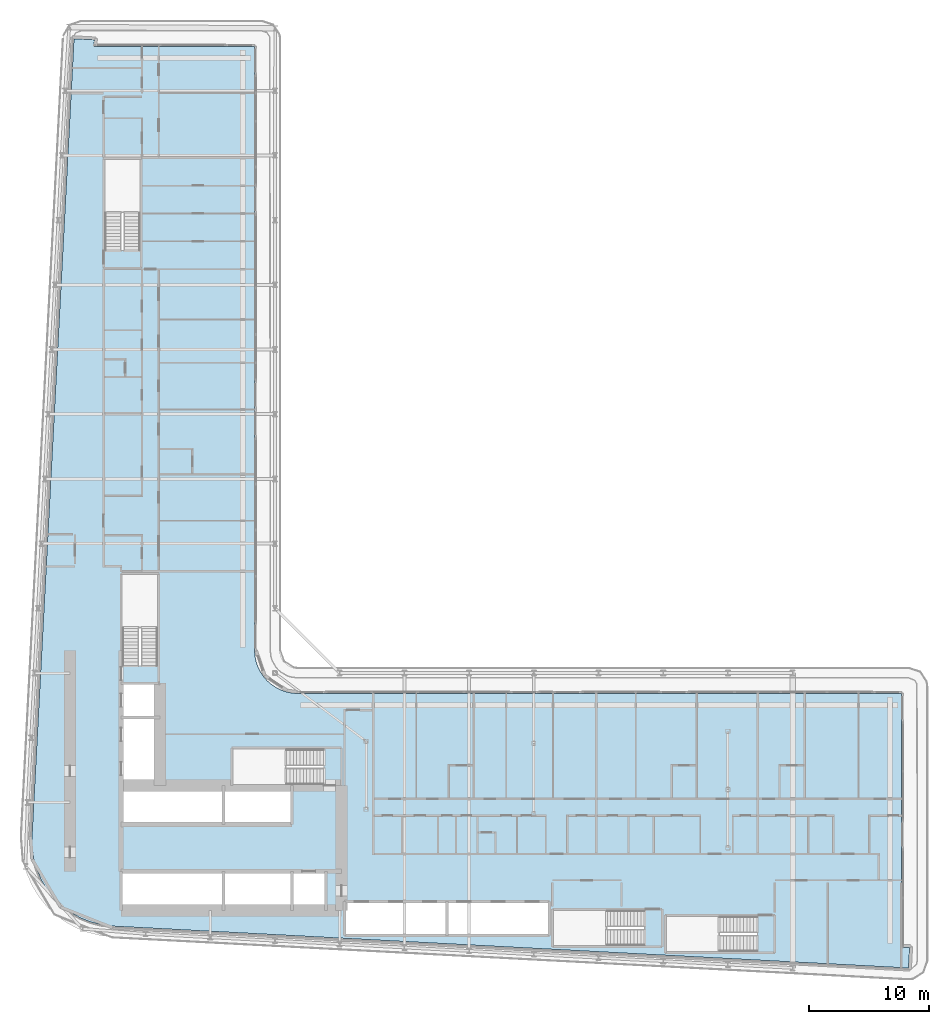
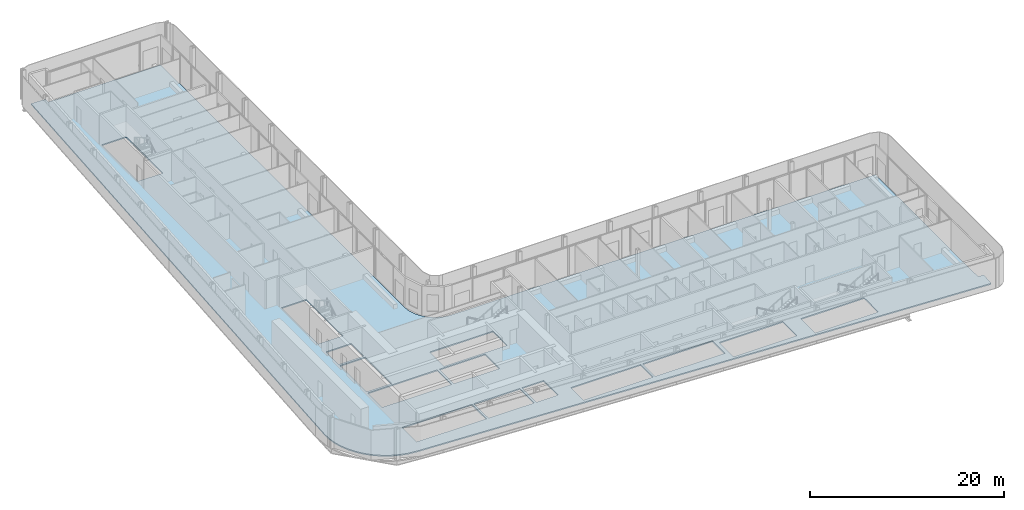
# One storey, part 11 of 29: 1 slab.
"""IFC4 building model written with IfcOpenShell, lengths in metres."""

import ifcopenshell
import ifcopenshell.guid

model = None  # the IFC model being written
_history = None  # IfcOwnerHistory: only IFC2X3 demands one
_inside = {}  # id of a spatial element -> (the spatial element, [elements in it])
_under = {}  # id of a project, library or spatial element -> (it, [spatial elements below it])
_declared = {}  # id of a project -> (the project, [libraries it declares])
_typed = {}  # id of a type object -> (the type object, [elements of that type])
_made_of = {}  # id of a material, layer set ... -> (it, [elements and type objects made of it])


def new_model(schema):
    """Start an empty IFC model of exactly this schema.

    Asked for "IFC4X3", IfcOpenShell would pick the latest addendum, in which some entities
    have other attributes; the version numbers below select the first issue.
    IFC2X3 requires an IfcOwnerHistory on every rooted entity: one is made here for all.
    """
    global model, _history
    if schema == "IFC4X3":
        model = ifcopenshell.file(schema_version=(4, 3, 0, 0))
    else:
        model = ifcopenshell.file(schema=schema)
    _inside.clear()
    _under.clear()
    _declared.clear()
    _typed.clear()
    _made_of.clear()
    _history = None
    if model.schema == "IFC2X3":
        org = make("IfcOrganization", Name="unknown")
        user = make(
            "IfcPersonAndOrganization",
            ThePerson=make("IfcPerson", FamilyName="unknown"),
            TheOrganization=org,
        )
        app = make(
            "IfcApplication",
            ApplicationDeveloper=org,
            Version="unknown",
            ApplicationFullName="unknown",
            ApplicationIdentifier="unknown",
        )
        _history = make(
            "IfcOwnerHistory",
            OwningUser=user,
            OwningApplication=app,
            ChangeAction="ADDED",
            CreationDate=0,
        )
    return model


def make(cls, **values):
    """One entity of the class cls with the attributes given. An attribute that is None is left unset."""
    return model.create_entity(
        cls, **{name: value for name, value in values.items() if value is not None}
    )


def rooted(cls, **values):
    """An entity with a GlobalId (a new one), such as an element, a storey or a relation."""
    return make(cls, GlobalId=ifcopenshell.guid.new(), OwnerHistory=_history, **values)


def si_unit(unit_type, name, prefix=None):
    """IfcSIUnit, for example si_unit("LENGTHUNIT", "METRE", prefix="MILLI")."""
    return make("IfcSIUnit", UnitType=unit_type, Prefix=prefix, Name=name)


def assignment(units):
    """IfcUnitAssignment: the units of a project."""
    return None if units is None else make("IfcUnitAssignment", Units=units)


def point(xyz):
    """IfcCartesianPoint."""
    return None if xyz is None else make("IfcCartesianPoint", Coordinates=xyz)


def direction(xyz):
    """IfcDirection."""
    return None if xyz is None else make("IfcDirection", DirectionRatios=xyz)


def frame(location, z_axis=None, x_axis=None):
    """IfcAxis2Placement3D, a coordinate frame: its origin and axes. An axis left out is left unset."""
    return make(
        "IfcAxis2Placement3D",
        Location=point(location),
        Axis=direction(z_axis),
        RefDirection=direction(x_axis),
    )


def origin():
    """The frame at (0, 0, 0) with its axes left unset."""
    return frame((0.0, 0.0, 0.0))


def place(relative_to, where):
    """IfcLocalPlacement: puts the frame where relative to a parent placement (None: the world)."""
    return make(
        "IfcLocalPlacement", PlacementRelTo=relative_to, RelativePlacement=where
    )


def context(
    kind, dimensions, precision=None, world=None, true_north=None, identifier=None
):
    """IfcGeometricRepresentationContext, for example the 3D "Model" context."""
    return make(
        "IfcGeometricRepresentationContext",
        ContextIdentifier=identifier,
        ContextType=kind,
        CoordinateSpaceDimension=dimensions,
        Precision=precision,
        WorldCoordinateSystem=world,
        TrueNorth=true_north,
    )


def subcontext(parent, identifier, kind, view, scale=None):
    """IfcGeometricRepresentationSubContext, for example "Body" below "Model"."""
    return make(
        "IfcGeometricRepresentationSubContext",
        ContextIdentifier=identifier,
        ContextType=kind,
        ParentContext=parent,
        TargetScale=scale,
        TargetView=view,
    )


def project(units=None, contexts=None):
    """IfcProject with its units and contexts."""
    return rooted(
        "IfcProject",
        Name="project",
        RepresentationContexts=contexts,
        UnitsInContext=assignment(units),
    )


def spatial(cls, under=None, at=None, **own):
    """A site, building, storey or space (cls), placed at a placement, below another one or the project."""
    s = rooted(cls, ObjectPlacement=at, **own)
    if under is not None:
        _under.setdefault(under.id(), (under, []))[1].append(s)
    return s


def polyline(points):
    """IfcPolyline through the points."""
    return make("IfcPolyline", Points=[point(p) for p in points])


def outline(outer, holes=None, kind="AREA"):
    """IfcArbitraryClosedProfileDef: a profile drawn as a closed curve; with holes, ...WithVoids."""
    if holes is None:
        return make("IfcArbitraryClosedProfileDef", ProfileType=kind, OuterCurve=outer)
    return make(
        "IfcArbitraryProfileDefWithVoids",
        ProfileType=kind,
        OuterCurve=outer,
        InnerCurves=holes,
    )


def extrude(swept, where, along, depth):
    """IfcExtrudedAreaSolid: the profile swept, set in the frame where, extruded along a direction by depth."""
    return make(
        "IfcExtrudedAreaSolid",
        SweptArea=swept,
        Position=where,
        ExtrudedDirection=direction(along),
        Depth=depth,
    )


def shape(context_of_items, identifier, shape_type, items):
    """IfcShapeRepresentation: the items that make up one representation, for example the "Body"."""
    return make(
        "IfcShapeRepresentation",
        ContextOfItems=context_of_items,
        RepresentationIdentifier=identifier,
        RepresentationType=shape_type,
        Items=items,
    )


def material(Name=None, Category=None):
    """IfcMaterial."""
    return make("IfcMaterial", Name=Name, Category=Category)


def layer(
    of_material, thickness, ventilated=None, Name=None, Category=None, Priority=None
):
    """IfcMaterialLayer: one layer of a wall or slab, of a material (None: an air gap)."""
    return make(
        "IfcMaterialLayer",
        Material=of_material,
        LayerThickness=thickness,
        IsVentilated=ventilated,
        Name=Name,
        Category=Category,
        Priority=Priority,
    )


def layer_set(layers, Name=None):
    """IfcMaterialLayerSet."""
    return make("IfcMaterialLayerSet", MaterialLayers=layers, LayerSetName=Name)


def made_of(thing, what):
    """Note that an element or type object is made of a material, layer set ...; save() writes the relation."""
    if what is not None:
        _made_of.setdefault(what.id(), (what, []))[1].append(thing)
    return thing


def type_object(cls, material=None, **own):
    """A type object (cls), such as IfcWallType, which elements share."""
    return made_of(rooted(cls, **own), material)


def element(
    cls,
    number,
    at=None,
    inside=None,
    cuts=None,
    type_object=None,
    material=None,
    context=None,
    identifier="Body",
    shape_type=None,
    held_by="IfcProductDefinitionShape",
    body=None,
    shapes=None,
    **own,
):
    """One element of the class cls, such as IfcWall. Its Tag is "e" and its number.

    at: its placement. inside: the storey or other place that contains it. cuts: it is an
    opening in that element (IfcRelVoidsElement). A single representation is given by context,
    identifier, shape_type and body (its items); several are given by shapes. held_by: the class
    of the entity that holds the representations. save() writes the other relations.
    """
    e = rooted(cls, Tag="e%d" % number, ObjectPlacement=at, **own)
    if body is not None:
        shapes = [shape(context, identifier, shape_type, body)]
    if shapes is not None:
        e.Representation = make(held_by, Representations=shapes)
    if inside is not None:
        _inside.setdefault(inside.id(), (inside, []))[1].append(e)
    if cuts is not None:
        rooted(
            "IfcRelVoidsElement", RelatingBuildingElement=cuts, RelatedOpeningElement=e
        )
    if type_object is not None:
        _typed.setdefault(type_object.id(), (type_object, []))[1].append(e)
    return made_of(e, material)


def aggregate(whole, parts):
    """IfcRelAggregates: a whole, such as a stair, and the parts it consists of."""
    return rooted("IfcRelAggregates", RelatingObject=whole, RelatedObjects=parts)


def save(model, path):
    """Write the relations noted so far, then the file.

    IfcRelAggregates (storeys below a building ...), IfcRelContainedInSpatialStructure (elements
    in a storey), IfcRelDefinesByType, IfcRelAssociatesMaterial and IfcRelDeclares: one each for
    every whole, place, type object, material and project.
    """
    for whole, parts in _under.values():
        aggregate(whole, parts)
    for where, things in _inside.values():
        rooted(
            "IfcRelContainedInSpatialStructure",
            RelatedElements=things,
            RelatingStructure=where,
        )
    for kind, things in _typed.values():
        rooted("IfcRelDefinesByType", RelatedObjects=things, RelatingType=kind)
    for what, things in _made_of.values():
        rooted("IfcRelAssociatesMaterial", RelatedObjects=things, RelatingMaterial=what)
    for by, libraries in _declared.values():
        rooted("IfcRelDeclares", RelatingContext=by, RelatedDefinitions=libraries)
    model.write(path)


model = new_model("IFC4")

# Units and contexts
model_context = context("Model", 3, precision=1e-05, world=origin(), true_north=direction((0.0, 1.0)))
body_context = subcontext(model_context, "Body", "Model", "MODEL_VIEW")
ifc_project = project(units=[si_unit("LENGTHUNIT", "METRE"), si_unit("AREAUNIT", "SQUARE_METRE"), si_unit("VOLUMEUNIT", "CUBIC_METRE"), si_unit("PLANEANGLEUNIT", "RADIAN"), si_unit("MASSUNIT", "GRAM", prefix="KILO")], contexts=[model_context])

# Site, building, storey
site_placement = place(None, origin())
site = spatial("IfcSite", under=ifc_project, at=site_placement, CompositionType="ELEMENT")
building_placement = place(site_placement, origin())
building = spatial("IfcBuilding", under=site, at=building_placement, Name="Kheshtan School and Residences Tower", CompositionType="ELEMENT")
storey_placement = place(building_placement, frame((0.0, 0.0, 65.60009765625)))
storey = spatial("IfcBuildingStorey", under=building, at=storey_placement, Name="L15", CompositionType="ELEMENT", Elevation=65.60009765625)

# Slab
ifc_material = material(Name="Concrete C40/50", Category="concrete")
ifc_layer = layer(ifc_material, 0.14990234375)
ifc_layer_set = layer_set([ifc_layer], Name="Floor slab 150 Concrete C40/50")
slab_type = type_object("IfcSlabType", Name="Floor slab 150 Concrete C40/50", PredefinedType="FLOOR", material=ifc_layer_set)
slab_placement = place(storey_placement, frame((0.0, 0.0, -0.150146484375)))
element("IfcSlab", 1, at=slab_placement, inside=storey, type_object=slab_type, Name="Floor slab L15", PredefinedType="FLOOR", context=body_context, shape_type="SweptSolid", body=[
    extrude(outline(polyline([(27.718017578125, 29.200927734375), (27.466064453125, 30.093017578125), (27.466064453125, 30.093994140625), (27.3330078125, 31.013916015625), (27.320068359375, 31.965087890625), (27.320068359375, 31.970947265625), (30.822021484375, 98.5009765625), (30.822998046875, 98.508056640625), (30.825927734375, 98.531005859375), (30.825927734375, 98.531982421875), (30.826904296875, 98.531982421875), (31.422119140625, 98.5), (31.423095703125, 98.5), (31.423095703125, 98.4990234375), (31.423095703125, 98.4951171875), (31.423095703125, 98.493896484375), (31.424072265625, 98.493896484375), (31.424072265625, 98.492919921875), (31.425048828125, 98.492919921875), (31.426025390625, 98.492919921875), (31.426025390625, 98.493896484375), (31.427978515625, 98.49609375), (31.428955078125, 98.4970703125), (31.429931640625, 98.498046875), (31.430908203125, 98.498046875), (31.430908203125, 98.4990234375), (31.431884765625, 98.4990234375), (31.431884765625, 98.5), (31.43505859375, 98.5009765625), (31.43603515625, 98.501953125), (31.43896484375, 98.501953125), (31.43994140625, 98.501953125), (31.43994140625, 98.5029296875), (31.44091796875, 98.5029296875), (31.446044921875, 98.5029296875), (32.5009765625, 98.447021484375), (32.50390625, 98.447021484375), (32.5048828125, 98.447021484375), (32.5048828125, 98.446044921875), (32.506103515625, 98.446044921875), (32.510009765625, 98.446044921875), (32.510009765625, 98.445068359375), (32.510986328125, 98.445068359375), (32.510986328125, 98.444091796875), (32.511962890625, 98.444091796875), (32.511962890625, 98.443115234375), (32.512939453125, 98.443115234375), (32.513916015625, 98.443115234375), (32.513916015625, 98.44189453125), (32.514892578125, 98.44189453125), (32.51611328125, 98.44189453125), (32.51904296875, 98.43896484375), (32.51904296875, 98.43798828125), (32.51904296875, 98.43701171875), (32.52001953125, 98.43701171875), (32.52001953125, 98.43603515625), (32.52099609375, 98.43603515625), (32.52099609375, 98.43408203125), (32.52099609375, 98.43310546875), (32.52197265625, 98.43310546875), (32.52197265625, 98.431884765625), (32.52294921875, 98.431884765625), (32.52294921875, 98.430908203125), (32.52294921875, 98.428955078125), (32.52294921875, 98.427978515625), (32.52392578125, 98.427978515625), (32.52392578125, 98.427001953125), (32.52392578125, 98.422119140625), (32.4970703125, 97.9208984375), (32.4970703125, 97.91796875), (32.4970703125, 97.9169921875), (32.49609375, 97.9169921875), (32.49609375, 97.916015625), (32.49609375, 97.912109375), (32.4951171875, 97.910888671875), (32.4951171875, 97.909912109375), (32.493896484375, 97.909912109375), (32.493896484375, 97.908935546875), (32.492919921875, 97.908935546875), (32.492919921875, 97.907958984375), (32.489013671875, 97.904052734375), (32.488037109375, 97.904052734375), (32.488037109375, 97.903076171875), (32.488037109375, 97.902099609375), (32.488037109375, 97.90087890625), (32.489013671875, 97.90087890625), (32.489013671875, 97.89990234375), (32.489990234375, 97.89990234375), (45.85498046875, 97.89990234375), (45.864990234375, 97.89794921875), (45.865966796875, 97.89794921875), (45.868896484375, 97.89599609375), (45.8740234375, 97.89404296875), (45.8779296875, 97.89208984375), (45.881103515625, 97.889892578125), (45.881103515625, 97.888916015625), (45.882080078125, 97.888916015625), (45.882080078125, 97.887939453125), (45.883056640625, 97.887939453125), (45.884033203125, 97.885009765625), (45.885009765625, 97.885009765625), (45.885009765625, 97.884033203125), (45.887939453125, 97.883056640625), (45.887939453125, 97.882080078125), (45.888916015625, 97.882080078125), (45.888916015625, 97.881103515625), (45.889892578125, 97.881103515625), (45.89208984375, 97.8779296875), (45.89404296875, 97.8740234375), (45.89599609375, 97.868896484375), (45.89794921875, 97.865966796875), (45.89794921875, 97.864990234375), (45.89990234375, 97.85498046875), (45.89990234375, 47.429931640625), (45.927001953125, 47.030029296875), (46.01806640625, 46.570068359375), (46.01806640625, 46.569091796875), (46.169921875, 46.1201171875), (46.37890625, 45.697021484375), (46.638916015625, 45.30810546875), (46.949951171875, 44.950927734375), (46.950927734375, 44.949951171875), (47.30810546875, 44.638916015625), (47.697021484375, 44.37890625), (48.1201171875, 44.169921875), (48.569091796875, 44.01806640625), (48.570068359375, 44.01806640625), (49.030029296875, 43.927001953125), (49.429931640625, 43.89990234375), (99.85498046875, 43.89990234375), (99.864990234375, 43.89794921875), (99.865966796875, 43.89794921875), (99.868896484375, 43.89599609375), (99.8740234375, 43.89404296875), (99.8779296875, 43.89208984375), (99.881103515625, 43.889892578125), (99.881103515625, 43.888916015625), (99.882080078125, 43.888916015625), (99.882080078125, 43.887939453125), (99.883056640625, 43.887939453125), (99.884033203125, 43.885009765625), (99.885009765625, 43.885009765625), (99.885009765625, 43.884033203125), (99.887939453125, 43.883056640625), (99.887939453125, 43.882080078125), (99.888916015625, 43.882080078125), (99.888916015625, 43.881103515625), (99.889892578125, 43.881103515625), (99.89208984375, 43.8779296875), (99.89404296875, 43.8740234375), (99.89599609375, 43.868896484375), (99.89794921875, 43.865966796875), (99.89794921875, 43.864990234375), (99.89990234375, 43.85498046875), (99.89990234375, 22.708984375), (99.89990234375, 22.7080078125), (99.90087890625, 22.7080078125), (99.90087890625, 22.70703125), (99.902099609375, 22.70703125), (99.903076171875, 22.70703125), (99.903076171875, 22.7080078125), (99.905029296875, 22.7099609375), (99.906982421875, 22.7119140625), (99.907958984375, 22.7119140625), (99.907958984375, 22.712890625), (99.908935546875, 22.712890625), (99.908935546875, 22.714111328125), (99.909912109375, 22.714111328125), (99.912109375, 22.715087890625), (99.9130859375, 22.716064453125), (99.916015625, 22.716064453125), (99.9169921875, 22.716064453125), (99.9169921875, 22.717041015625), (99.91796875, 22.717041015625), (99.923095703125, 22.717041015625), (100.5380859375, 22.68408203125), (100.541015625, 22.68408203125), (100.5419921875, 22.68408203125), (100.5419921875, 22.68310546875), (100.54296875, 22.68310546875), (100.547119140625, 22.68310546875), (100.547119140625, 22.681884765625), (100.548095703125, 22.681884765625), (100.548095703125, 22.680908203125), (100.549072265625, 22.680908203125), (100.549072265625, 22.679931640625), (100.550048828125, 22.679931640625), (100.551025390625, 22.679931640625), (100.551025390625, 22.678955078125), (100.552001953125, 22.678955078125), (100.552978515625, 22.678955078125), (100.552978515625, 22.677978515625), (100.554931640625, 22.676025390625), (100.555908203125, 22.676025390625), (100.555908203125, 22.675048828125), (100.555908203125, 22.674072265625), (100.556884765625, 22.674072265625), (100.556884765625, 22.673095703125), (100.55810546875, 22.673095703125), (100.55810546875, 22.6708984375), (100.55810546875, 22.669921875), (100.55908203125, 22.669921875), (100.55908203125, 22.6689453125), (100.56005859375, 22.6689453125), (100.56005859375, 22.66796875), (100.56005859375, 22.666015625), (100.56005859375, 22.6650390625), (100.56103515625, 22.6650390625), (100.56103515625, 22.6640625), (100.56103515625, 22.658935546875), (100.5048828125, 21.60205078125), (100.5048828125, 21.59912109375), (100.5048828125, 21.597900390625), (100.50390625, 21.597900390625), (100.50390625, 21.596923828125), (100.50390625, 21.593017578125), (100.5029296875, 21.592041015625), (100.5029296875, 21.591064453125), (100.501953125, 21.591064453125), (100.501953125, 21.590087890625), (100.5009765625, 21.590087890625), (100.5009765625, 21.589111328125), (100.5, 21.587890625), (100.498046875, 21.5859375), (100.4970703125, 21.5849609375), (100.49609375, 21.5849609375), (100.49609375, 21.583984375), (100.49609375, 21.5830078125), (100.49609375, 21.58203125), (100.4970703125, 21.58203125), (100.4970703125, 21.5810546875), (100.498046875, 21.5810546875), (100.4990234375, 21.5810546875), (100.5, 21.5810546875), (100.5, 21.580078125), (100.468017578125, 20.985107421875), (100.468017578125, 20.98388671875), (100.467041015625, 20.98388671875), (100.443115234375, 20.98291015625), (100.43798828125, 20.98291015625), (34.056884765625, 24.47802734375), (33.114990234375, 24.590087890625), (32.215087890625, 24.819091796875), (32.214111328125, 24.819091796875), (31.35205078125, 25.1630859375), (30.541015625, 25.616943359375), (29.799072265625, 26.1708984375), (29.799072265625, 26.172119140625), (29.798095703125, 26.172119140625), (29.134033203125, 26.820068359375), (29.134033203125, 26.821044921875), (29.133056640625, 26.821044921875), (28.55908203125, 27.550048828125), (28.0849609375, 28.345947265625), (27.718017578125, 29.200927734375)]), holes=[polyline([(99.89990234375, 21.5869140625), (99.89990234375, 21.5830078125), (99.89990234375, 21.58203125), (99.90087890625, 21.58203125), (99.90087890625, 21.5810546875), (99.902099609375, 21.5810546875), (99.906005859375, 21.5810546875), (99.906982421875, 21.5810546875), (99.906982421875, 21.58203125), (99.907958984375, 21.58203125), (99.907958984375, 21.5830078125), (99.907958984375, 21.583984375), (99.906982421875, 21.583984375), (99.905029296875, 21.5859375), (99.904052734375, 21.5869140625), (99.903076171875, 21.587890625), (99.903076171875, 21.589111328125), (99.902099609375, 21.589111328125), (99.90087890625, 21.589111328125), (99.90087890625, 21.587890625), (99.89990234375, 21.587890625), (99.89990234375, 21.5869140625)]), polyline([(31.423095703125, 97.906005859375), (31.423095703125, 97.902099609375), (31.423095703125, 97.90087890625), (31.424072265625, 97.90087890625), (31.424072265625, 97.89990234375), (31.425048828125, 97.89990234375), (31.428955078125, 97.89990234375), (31.429931640625, 97.89990234375), (31.429931640625, 97.90087890625), (31.430908203125, 97.90087890625), (31.430908203125, 97.902099609375), (31.430908203125, 97.903076171875), (31.429931640625, 97.903076171875), (31.428955078125, 97.904052734375), (31.427978515625, 97.905029296875), (31.427001953125, 97.906005859375), (31.426025390625, 97.906982421875), (31.426025390625, 97.907958984375), (31.425048828125, 97.907958984375), (31.424072265625, 97.907958984375), (31.424072265625, 97.906982421875), (31.423095703125, 97.906982421875), (31.423095703125, 97.906005859375)]), polyline([(34.875, 28.925048828125), (34.875, 25.925048828125), (43.175048828125, 25.925048828125), (43.175048828125, 28.925048828125), (34.875, 28.925048828125)]), polyline([(43.425048828125, 25.925048828125), (48.875, 25.925048828125), (48.875, 28.925048828125), (43.425048828125, 28.925048828125), (43.425048828125, 25.925048828125)]), polyline([(43.175048828125, 36.074951171875), (34.875, 36.074951171875), (34.875, 33.074951171875), (43.175048828125, 33.074951171875), (43.175048828125, 36.074951171875)]), polyline([(34.875, 41.77490234375), (34.875, 36.324951171875), (37.875, 36.324951171875), (37.875, 41.77490234375), (34.875, 41.77490234375)]), polyline([(34.875, 44.625), (34.875, 42.02490234375), (37.875, 42.02490234375), (37.875, 44.625), (34.875, 44.625)]), polyline([(37.800048828125, 46.25), (37.800048828125, 53.81005859375), (34.85009765625, 53.81005859375), (34.85009765625, 46.260009765625), (36.25, 46.260009765625), (36.25, 46.25), (37.800048828125, 46.25)]), polyline([(33.39990234375, 88.4599609375), (33.39990234375, 80.909912109375), (34.800048828125, 80.909912109375), (34.800048828125, 80.89990234375), (36.35009765625, 80.89990234375), (36.35009765625, 88.4599609375), (33.39990234375, 88.4599609375)]), polyline([(87.81005859375, 22.35009765625), (87.81005859375, 23.75), (87.820068359375, 23.75), (87.820068359375, 25.300048828125), (80.260009765625, 25.300048828125), (80.260009765625, 22.35009765625), (87.81005859375, 22.35009765625)]), polyline([(70.85009765625, 22.85009765625), (78.39990234375, 22.85009765625), (78.39990234375, 24.25), (78.409912109375, 24.25), (78.409912109375, 25.800048828125), (70.85009765625, 25.800048828125), (70.85009765625, 22.85009765625)]), polyline([(61.824951171875, 26.425048828125), (53.52490234375, 26.425048828125), (53.52490234375, 23.824951171875), (61.824951171875, 23.824951171875), (61.824951171875, 26.425048828125)]), polyline([(62.074951171875, 23.824951171875), (70.375, 23.824951171875), (70.375, 26.425048828125), (62.074951171875, 26.425048828125), (62.074951171875, 23.824951171875)]), polyline([(49.125, 28.925048828125), (49.125, 25.925048828125), (51.72509765625, 25.925048828125), (51.72509765625, 28.925048828125), (49.125, 28.925048828125)]), polyline([(43.425048828125, 33.074951171875), (48.875, 33.074951171875), (48.875, 36.074951171875), (43.425048828125, 36.074951171875), (43.425048828125, 33.074951171875)]), polyline([(51.64990234375, 39.25), (44.090087890625, 39.25), (44.090087890625, 36.300048828125), (51.639892578125, 36.300048828125), (51.639892578125, 37.699951171875), (51.64990234375, 37.699951171875), (51.64990234375, 39.25)])]), origin(), (0.0, 0.0, 1.0), 0.150146484375),
])

save(model, "model.ifc")
